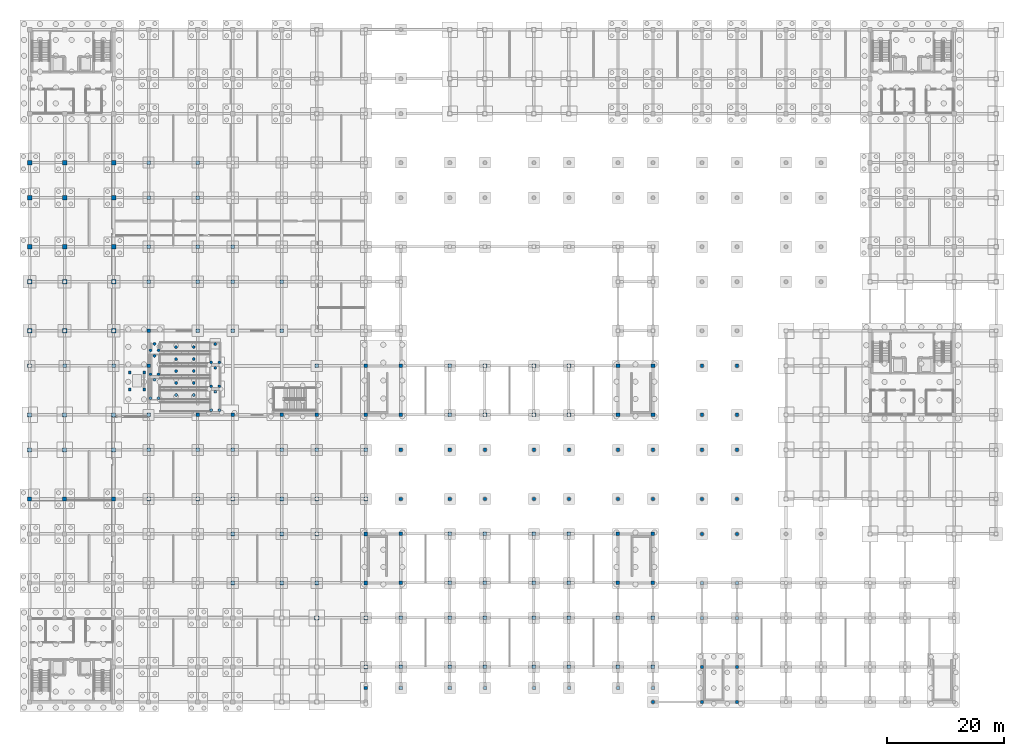
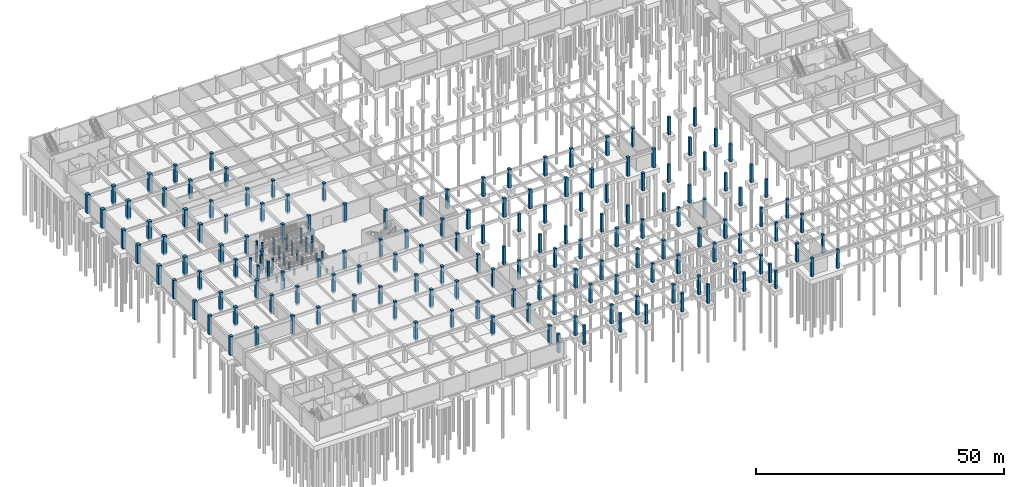
# One storey, part 14 of 40: 189 columns.
"""IFC4 building model written with IfcOpenShell, lengths in metres."""

from ifc_helpers import new_model, si_unit, direction, frame, origin, origin_2d, place, context, subcontext, project, spatial, rectangle, circle, extrude, material, material_profile, profile_set, type_object, element, save


model = new_model("IFC4")

# Units and contexts
model_context = context("Model", 3, precision=1e-05, world=origin(), true_north=direction((0.0, 1.0)))
body_context = subcontext(model_context, "Body", "Model", "MODEL_VIEW")
ifc_project = project(units=[si_unit("LENGTHUNIT", "METRE"), si_unit("AREAUNIT", "SQUARE_METRE"), si_unit("VOLUMEUNIT", "CUBIC_METRE"), si_unit("PLANEANGLEUNIT", "RADIAN"), si_unit("MASSUNIT", "GRAM", prefix="KILO"), si_unit("THERMODYNAMICTEMPERATUREUNIT", "KELVIN")], contexts=[model_context])

# Site, building, storey
site_placement = place(None, origin())
site = spatial("IfcSite", under=ifc_project, at=site_placement, CompositionType="ELEMENT")
building_placement = place(site_placement, origin())
building = spatial("IfcBuilding", under=site, at=building_placement, Name="Thalorik Housing Commons", CompositionType="ELEMENT")
storey_placement = place(building_placement, frame((0.0, 0.0, -4.199951171875)))
storey = spatial("IfcBuildingStorey", under=building, at=storey_placement, Name="B1", CompositionType="ELEMENT", Elevation=-4.199951171875)

# Columns
ifc_material = material(Name="Precast concrete C40/50", Category="concrete")
ifc_material_profile_1 = material_profile(ifc_material, circle(Radius=0.25, at=origin_2d()), Name="PC D500", Category="concrete")
ifc_profile_set_1 = profile_set([ifc_material_profile_1], Name="Precast concrete C40/50")
column_type_1 = type_object("IfcColumnType", Name="STR-COL-D500", PredefinedType="COLUMN", material=ifc_profile_set_1)
for number, where, z_axis, x_axis, name in (
    (1, (39.5, 58.39990234375, -0.449951171875), (0.0, 0.0, 1.0), (1.0, 0.0, 0.0), "B1 Metro Ramp Support Pier 1"),
    (2, (40.89990234375, 58.39990234375, -0.449951171875), (0.0, 0.0, 1.0), (1.0, 0.0, 0.0), "B1 Metro Ramp Support Pier 2"),
    (3, (40.199951171875, 61.550048828125, -0.449951171875), (0.0, 0.0, 1.0), (1.0, 0.0, 0.0), "B1 Metro Ramp Support Pier 3"),
):
    element("IfcColumn", number, at=place(storey_placement, frame(where, z_axis=z_axis, x_axis=x_axis)), inside=storey, type_object=column_type_1, Name=name, PredefinedType="COLUMN", context=body_context, shape_type="SweptSolid", body=[
        extrude(circle(Radius=0.25, at=origin_2d()), origin(), (0.0, 0.0, 1.0), 0.949951171875),
    ])
for number, where, z_axis, x_axis, name in (
    (4, (29.10009765625, 60.449951171875, -0.449951171875), (0.0, 0.0, 1.0), (1.0, 0.0, 0.0), "B1 Metro Ramp Support Pier 4"),
    (5, (30.5, 60.449951171875, -0.449951171875), (0.0, 0.0, 1.0), (1.0, 0.0, 0.0), "B1 Metro Ramp Support Pier 5"),
    (6, (29.800048828125, 63.60009765625, -0.449951171875), (0.0, 0.0, 1.0), (1.0, 0.0, 0.0), "B1 Metro Ramp Support Pier 6"),
):
    element("IfcColumn", number, at=place(storey_placement, frame(where, z_axis=z_axis, x_axis=x_axis)), inside=storey, type_object=column_type_1, Name=name, PredefinedType="COLUMN", context=body_context, shape_type="SweptSolid", body=[
        extrude(circle(Radius=0.25, at=origin_2d()), origin(), (0.0, 0.0, 1.0), 1.64990234375),
    ])
for number, where, z_axis, x_axis, name in (
    (7, (39.5, 62.5, -0.449951171875), (0.0, 0.0, 1.0), (1.0, 0.0, 0.0), "B1 Metro Ramp Support Pier 7"),
    (8, (40.89990234375, 62.5, -0.449951171875), (0.0, 0.0, 1.0), (1.0, 0.0, 0.0), "B1 Metro Ramp Support Pier 8"),
    (9, (40.199951171875, 65.64990234375, -0.449951171875), (0.0, 0.0, 1.0), (1.0, 0.0, 0.0), "B1 Metro Ramp Support Pier 9"),
):
    element("IfcColumn", number, at=place(storey_placement, frame(where, z_axis=z_axis, x_axis=x_axis)), inside=storey, type_object=column_type_1, Name=name, PredefinedType="COLUMN", context=body_context, shape_type="SweptSolid", body=[
        extrude(circle(Radius=0.25, at=origin_2d()), origin(), (0.0, 0.0, 1.0), 2.349853515625),
    ])
for number, where, z_axis, x_axis, name in (
    (10, (29.10009765625, 64.550048828125, -0.449951171875), (0.0, 0.0, 1.0), (1.0, 0.0, 0.0), "B1 Metro Ramp Support Pier 10"),
    (11, (30.5, 64.550048828125, -0.449951171875), (0.0, 0.0, 1.0), (1.0, 0.0, 0.0), "B1 Metro Ramp Support Pier 11"),
    (12, (29.800048828125, 67.699951171875, -0.449951171875), (0.0, 0.0, 1.0), (1.0, 0.0, 0.0), "B1 Metro Ramp Support Pier 12"),
):
    element("IfcColumn", number, at=place(storey_placement, frame(where, z_axis=z_axis, x_axis=x_axis)), inside=storey, type_object=column_type_1, Name=name, PredefinedType="COLUMN", context=body_context, shape_type="SweptSolid", body=[
        extrude(circle(Radius=0.25, at=origin_2d()), origin(), (0.0, 0.0, 1.0), 3.0498046875),
    ])
for number, where, z_axis, x_axis, name in (
    (13, (39.5, 66.60009765625, -0.449951171875), (0.0, 0.0, 1.0), (1.0, 0.0, 0.0), "B1 Metro Ramp Support Pier 13"),
    (14, (40.89990234375, 66.60009765625, -0.449951171875), (0.0, 0.0, 1.0), (1.0, 0.0, 0.0), "B1 Metro Ramp Support Pier 14"),
    (15, (40.199951171875, 69.75, -0.449951171875), (0.0, 0.0, 1.0), (1.0, 0.0, 0.0), "B1 Metro Ramp Support Pier 15"),
):
    element("IfcColumn", number, at=place(storey_placement, frame(where, z_axis=z_axis, x_axis=x_axis)), inside=storey, type_object=column_type_1, Name=name, PredefinedType="COLUMN", context=body_context, shape_type="SweptSolid", body=[
        extrude(circle(Radius=0.25, at=origin_2d()), origin(), (0.0, 0.0, 1.0), 3.75),
    ])
for number, where, z_axis, x_axis, name in (
    (16, (29.10009765625, 68.64990234375, -0.449951171875), (0.0, 0.0, 1.0), (1.0, 0.0, 0.0), "B1 Metro Ramp Support Pier 16"),
    (17, (30.5, 68.64990234375, -0.449951171875), (0.0, 0.0, 1.0), (1.0, 0.0, 0.0), "B1 Metro Ramp Support Pier 17"),
    (18, (29.800048828125, 69.75, -0.449951171875), (0.0, 0.0, 1.0), (1.0, 0.0, 0.0), "B1 Metro Ramp Support Pier 18"),
):
    element("IfcColumn", number, at=place(storey_placement, frame(where, z_axis=z_axis, x_axis=x_axis)), inside=storey, type_object=column_type_1, Name=name, PredefinedType="COLUMN", context=body_context, shape_type="SweptSolid", body=[
        extrude(circle(Radius=0.25, at=origin_2d()), origin(), (0.0, 0.0, 1.0), 4.369873046875),
    ])
column_1_placement = place(storey_placement, frame((36.511962890625, 61.0, -0.449951171875), z_axis=(0.0, 0.0, 1.0), x_axis=(1.0, 0.0, 0.0)))
element("IfcColumn", 19, at=column_1_placement, inside=storey, type_object=column_type_1, Name="B1 Metro Ramp Support Pier 19", PredefinedType="COLUMN", context=body_context, shape_type="SweptSolid", body=[
    extrude(circle(Radius=0.25, at=origin_2d()), origin(), (0.0, 0.0, 1.0), 1.183837890625),
])
column_2_placement = place(storey_placement, frame((33.488037109375, 61.0, -0.449951171875), z_axis=(0.0, 0.0, 1.0), x_axis=(1.0, 0.0, 0.0)))
element("IfcColumn", 20, at=column_2_placement, inside=storey, type_object=column_type_1, Name="B1 Metro Ramp Support Pier 20", PredefinedType="COLUMN", context=body_context, shape_type="SweptSolid", body=[
    extrude(circle(Radius=0.25, at=origin_2d()), origin(), (0.0, 0.0, 1.0), 1.435791015625),
])
column_3_placement = place(storey_placement, frame((33.488037109375, 63.050048828125, -0.449951171875), z_axis=(0.0, 0.0, 1.0), x_axis=(1.0, 0.0, 0.0)))
element("IfcColumn", 21, at=column_3_placement, inside=storey, type_object=column_type_1, Name="B1 Metro Ramp Support Pier 21", PredefinedType="COLUMN", context=body_context, shape_type="SweptSolid", body=[
    extrude(circle(Radius=0.25, at=origin_2d()), origin(), (0.0, 0.0, 1.0), 1.8837890625),
])
column_4_placement = place(storey_placement, frame((36.511962890625, 63.050048828125, -0.449951171875), z_axis=(0.0, 0.0, 1.0), x_axis=(1.0, 0.0, 0.0)))
element("IfcColumn", 22, at=column_4_placement, inside=storey, type_object=column_type_1, Name="B1 Metro Ramp Support Pier 22", PredefinedType="COLUMN", context=body_context, shape_type="SweptSolid", body=[
    extrude(circle(Radius=0.25, at=origin_2d()), origin(), (0.0, 0.0, 1.0), 2.135986328125),
])
column_5_placement = place(storey_placement, frame((36.511962890625, 65.10009765625, -0.449951171875), z_axis=(0.0, 0.0, 1.0), x_axis=(1.0, 0.0, 0.0)))
element("IfcColumn", 23, at=column_5_placement, inside=storey, type_object=column_type_1, Name="B1 Metro Ramp Support Pier 23", PredefinedType="COLUMN", context=body_context, shape_type="SweptSolid", body=[
    extrude(circle(Radius=0.25, at=origin_2d()), origin(), (0.0, 0.0, 1.0), 2.583984375),
])
column_6_placement = place(storey_placement, frame((33.488037109375, 65.10009765625, -0.449951171875), z_axis=(0.0, 0.0, 1.0), x_axis=(1.0, 0.0, 0.0)))
element("IfcColumn", 24, at=column_6_placement, inside=storey, type_object=column_type_1, Name="B1 Metro Ramp Support Pier 24", PredefinedType="COLUMN", context=body_context, shape_type="SweptSolid", body=[
    extrude(circle(Radius=0.25, at=origin_2d()), origin(), (0.0, 0.0, 1.0), 2.8359375),
])
column_7_placement = place(storey_placement, frame((33.488037109375, 67.14990234375, -0.449951171875), z_axis=(0.0, 0.0, 1.0), x_axis=(1.0, 0.0, 0.0)))
element("IfcColumn", 25, at=column_7_placement, inside=storey, type_object=column_type_1, Name="B1 Metro Ramp Support Pier 25", PredefinedType="COLUMN", context=body_context, shape_type="SweptSolid", body=[
    extrude(circle(Radius=0.25, at=origin_2d()), origin(), (0.0, 0.0, 1.0), 3.283935546875),
])
column_8_placement = place(storey_placement, frame((36.511962890625, 67.14990234375, -0.449951171875), z_axis=(0.0, 0.0, 1.0), x_axis=(1.0, 0.0, 0.0)))
element("IfcColumn", 26, at=column_8_placement, inside=storey, type_object=column_type_1, Name="B1 Metro Ramp Support Pier 26", PredefinedType="COLUMN", context=body_context, shape_type="SweptSolid", body=[
    extrude(circle(Radius=0.25, at=origin_2d()), origin(), (0.0, 0.0, 1.0), 3.535888671875),
])
column_9_placement = place(storey_placement, frame((36.511962890625, 69.199951171875, -0.449951171875), z_axis=(0.0, 0.0, 1.0), x_axis=(1.0, 0.0, 0.0)))
element("IfcColumn", 27, at=column_9_placement, inside=storey, type_object=column_type_1, Name="B1 Metro Ramp Support Pier 27", PredefinedType="COLUMN", context=body_context, shape_type="SweptSolid", body=[
    extrude(circle(Radius=0.25, at=origin_2d()), origin(), (0.0, 0.0, 1.0), 3.98388671875),
])
column_10_placement = place(storey_placement, frame((33.488037109375, 69.199951171875, -0.449951171875), z_axis=(0.0, 0.0, 1.0), x_axis=(1.0, 0.0, 0.0)))
element("IfcColumn", 28, at=column_10_placement, inside=storey, type_object=column_type_1, Name="B1 Metro Ramp Support Pier 28", PredefinedType="COLUMN", context=body_context, shape_type="SweptSolid", body=[
    extrude(circle(Radius=0.25, at=origin_2d()), origin(), (0.0, 0.0, 1.0), 4.23583984375),
])
ifc_material_profile_2 = material_profile(ifc_material, rectangle(XDim=0.449951171875, YDim=0.449951171875, at=origin_2d()), Name="PC 450x450", Category="concrete")
ifc_profile_set_2 = profile_set([ifc_material_profile_2], Name="Precast concrete C40/50")
column_type_2 = type_object("IfcColumnType", Name="STR-COL-PC450", PredefinedType="COLUMN", material=ifc_profile_set_2)
for number, where, z_axis, x_axis, name in (
    (29, (25.550048828125, 61.949951171875, -0.449951171875), (0.0, 0.0, 1.0), (1.0, 0.0, 0.0), "B1 Column C-450"),
    (30, (25.550048828125, 64.85009765625, -0.449951171875), (0.0, 0.0, 1.0), (1.0, 0.0, 0.0), "B1 Column C-450"),
    (31, (28.050048828125, 61.949951171875, -0.449951171875), (0.0, 0.0, 1.0), (1.0, 0.0, 0.0), "B1 Column C-450"),
    (32, (28.050048828125, 64.85009765625, -0.449951171875), (0.0, 0.0, 1.0), (1.0, 0.0, 0.0), "B1 Column C-450"),
):
    element("IfcColumn", number, at=place(storey_placement, frame(where, z_axis=z_axis, x_axis=x_axis)), inside=storey, type_object=column_type_2, Name=name, PredefinedType="COLUMN", context=body_context, shape_type="SweptSolid", body=[
        extrude(rectangle(XDim=0.449951171875, YDim=0.449951171875, at=origin_2d()), origin(), (0.0, 0.0, 1.0), 4.64990234375),
    ])
ifc_material_profile_3 = material_profile(ifc_material, rectangle(XDim=0.550048828125, YDim=0.550048828125, at=origin_2d()), Name="PC 550x550", Category="concrete")
ifc_profile_set_3 = profile_set([ifc_material_profile_3], Name="Precast concrete C40/50")
column_type_3 = type_object("IfcColumnType", Name="STR-COL-PC550", PredefinedType="COLUMN", material=ifc_profile_set_3)
for number, where, z_axis, x_axis, name in (
    (33, (66.0, 10.800048828125, -0.449951171875), (0.0, 0.0, 1.0), (1.0, 0.0, 0.0), "B1 Column C-550"),
    (34, (72.0, 10.800048828125, -0.449951171875), (0.0, 0.0, 1.0), (1.0, 0.0, 0.0), "B1 Column C-550"),
    (35, (80.39990234375, 10.800048828125, -0.449951171875), (0.0, 0.0, 1.0), (1.0, 0.0, 0.0), "B1 Column C-550"),
    (36, (86.39990234375, 10.800048828125, -0.449951171875), (0.0, 0.0, 1.0), (1.0, 0.0, 0.0), "B1 Column C-550"),
    (37, (94.800048828125, 10.800048828125, -0.449951171875), (0.0, 0.0, 1.0), (1.0, 0.0, 0.0), "B1 Column C-550"),
    (38, (100.800048828125, 10.800048828125, -0.449951171875), (0.0, 0.0, 1.0), (1.0, 0.0, 0.0), "B1 Column C-550"),
    (39, (109.199951171875, 10.800048828125, -0.449951171875), (0.0, 0.0, 1.0), (1.0, 0.0, 0.0), "B1 Column C-550"),
    (40, (115.199951171875, 10.800048828125, -0.449951171875), (0.0, 0.0, 1.0), (1.0, 0.0, 0.0), "B1 Column C-550"),
    (41, (123.60009765625, 8.39990234375, -0.449951171875), (0.0, 0.0, 1.0), (1.0, 0.0, 0.0), "B1 Column C-550"),
    (42, (123.60009765625, 14.39990234375, -0.449951171875), (0.0, 0.0, 1.0), (1.0, 0.0, 0.0), "B1 Column C-550"),
    (43, (123.60009765625, 22.800048828125, -0.449951171875), (0.0, 0.0, 1.0), (1.0, 0.0, 0.0), "B1 Column C-550"),
    (44, (123.60009765625, 28.800048828125, -0.449951171875), (0.0, 0.0, 1.0), (1.0, 0.0, 0.0), "B1 Column C-550"),
    (45, (129.60009765625, 8.39990234375, -0.449951171875), (0.0, 0.0, 1.0), (1.0, 0.0, 0.0), "B1 Column C-550"),
    (46, (129.60009765625, 14.39990234375, -0.449951171875), (0.0, 0.0, 1.0), (1.0, 0.0, 0.0), "B1 Column C-550"),
    (47, (129.60009765625, 22.800048828125, -0.449951171875), (0.0, 0.0, 1.0), (1.0, 0.0, 0.0), "B1 Column C-550"),
    (48, (129.60009765625, 28.800048828125, -0.449951171875), (0.0, 0.0, 1.0), (1.0, 0.0, 0.0), "B1 Column C-550"),
):
    element("IfcColumn", number, at=place(storey_placement, frame(where, z_axis=z_axis, x_axis=x_axis)), inside=storey, type_object=column_type_3, Name=name, PredefinedType="COLUMN", context=body_context, shape_type="SweptSolid", body=[
        extrude(rectangle(XDim=0.550048828125, YDim=0.550048828125, at=origin_2d()), origin(), (0.0, 0.0, 1.0), 4.64990234375),
    ])
for number, where, z_axis, x_axis, name in (
    (49, (72.0, 43.199951171875, -0.449951171875), (0.0, 0.0, 1.0), (1.0, 0.0, 0.0), "B1 Plaza Support Pier 1"),
    (50, (72.0, 51.60009765625, -0.449951171875), (0.0, 0.0, 1.0), (1.0, 0.0, 0.0), "B1 Plaza Support Pier 2"),
    (51, (80.39990234375, 43.199951171875, -0.449951171875), (0.0, 0.0, 1.0), (1.0, 0.0, 0.0), "B1 Plaza Support Pier 8"),
    (52, (80.39990234375, 51.60009765625, -0.449951171875), (0.0, 0.0, 1.0), (1.0, 0.0, 0.0), "B1 Plaza Support Pier 9"),
    (53, (86.39990234375, 43.199951171875, -0.449951171875), (0.0, 0.0, 1.0), (1.0, 0.0, 0.0), "B1 Plaza Support Pier 12"),
    (54, (86.39990234375, 51.60009765625, -0.449951171875), (0.0, 0.0, 1.0), (1.0, 0.0, 0.0), "B1 Plaza Support Pier 13"),
    (55, (94.800048828125, 43.199951171875, -0.449951171875), (0.0, 0.0, 1.0), (1.0, 0.0, 0.0), "B1 Plaza Support Pier 16"),
    (56, (94.800048828125, 51.60009765625, -0.449951171875), (0.0, 0.0, 1.0), (1.0, 0.0, 0.0), "B1 Plaza Support Pier 17"),
    (57, (100.800048828125, 43.199951171875, -0.449951171875), (0.0, 0.0, 1.0), (1.0, 0.0, 0.0), "B1 Plaza Support Pier 20"),
    (58, (100.800048828125, 51.60009765625, -0.449951171875), (0.0, 0.0, 1.0), (1.0, 0.0, 0.0), "B1 Plaza Support Pier 21"),
    (59, (109.199951171875, 43.199951171875, -0.449951171875), (0.0, 0.0, 1.0), (1.0, 0.0, 0.0), "B1 Plaza Support Pier 24"),
    (60, (109.199951171875, 51.60009765625, -0.449951171875), (0.0, 0.0, 1.0), (1.0, 0.0, 0.0), "B1 Plaza Support Pier 25"),
    (61, (115.199951171875, 8.39990234375, -0.449951171875), (0.0, 0.0, 1.0), (1.0, 0.0, 0.0), "B1 Plaza Support Pier 28"),
    (62, (115.199951171875, 43.199951171875, -0.449951171875), (0.0, 0.0, 1.0), (1.0, 0.0, 0.0), "B1 Plaza Support Pier 29"),
    (63, (115.199951171875, 51.60009765625, -0.449951171875), (0.0, 0.0, 1.0), (1.0, 0.0, 0.0), "B1 Plaza Support Pier 30"),
    (64, (123.60009765625, 37.199951171875, -0.449951171875), (0.0, 0.0, 1.0), (1.0, 0.0, 0.0), "B1 Plaza Support Pier 33"),
    (65, (123.60009765625, 43.199951171875, -0.449951171875), (0.0, 0.0, 1.0), (1.0, 0.0, 0.0), "B1 Plaza Support Pier 34"),
    (66, (123.60009765625, 51.60009765625, -0.449951171875), (0.0, 0.0, 1.0), (1.0, 0.0, 0.0), "B1 Plaza Support Pier 35"),
    (67, (123.60009765625, 57.60009765625, -0.449951171875), (0.0, 0.0, 1.0), (1.0, 0.0, 0.0), "B1 Plaza Support Pier 36"),
    (68, (123.60009765625, 66.0, -0.449951171875), (0.0, 0.0, 1.0), (1.0, 0.0, 0.0), "B1 Plaza Support Pier 37"),
    (69, (129.60009765625, 37.199951171875, -0.449951171875), (0.0, 0.0, 1.0), (1.0, 0.0, 0.0), "B1 Plaza Support Pier 43"),
    (70, (129.60009765625, 43.199951171875, -0.449951171875), (0.0, 0.0, 1.0), (1.0, 0.0, 0.0), "B1 Plaza Support Pier 44"),
    (71, (129.60009765625, 51.60009765625, -0.449951171875), (0.0, 0.0, 1.0), (1.0, 0.0, 0.0), "B1 Plaza Support Pier 45"),
    (72, (129.60009765625, 57.60009765625, -0.449951171875), (0.0, 0.0, 1.0), (1.0, 0.0, 0.0), "B1 Plaza Support Pier 46"),
    (73, (129.60009765625, 66.0, -0.449951171875), (0.0, 0.0, 1.0), (1.0, 0.0, 0.0), "B1 Plaza Support Pier 47"),
):
    element("IfcColumn", number, at=place(storey_placement, frame(where, z_axis=z_axis, x_axis=x_axis)), inside=storey, type_object=column_type_3, Name=name, PredefinedType="COLUMN", context=body_context, shape_type="SweptSolid", body=[
        extrude(rectangle(XDim=0.550048828125, YDim=0.550048828125, at=origin_2d()), origin(), (0.0, 0.0, 1.0), 4.39990234375),
    ])
ifc_material_profile_4 = material_profile(ifc_material, rectangle(XDim=0.60009765625, YDim=0.60009765625, at=origin_2d()), Name="PC 600x600", Category="concrete")
ifc_profile_set_4 = profile_set([ifc_material_profile_4], Name="Precast concrete C40/50")
column_type_4 = type_object("IfcColumnType", Name="STR-COL-PC600", PredefinedType="COLUMN", material=ifc_profile_set_4)
for number, where, z_axis, x_axis, name in (
    (74, (72.0, 14.39990234375, -0.449951171875), (0.0, 0.0, 1.0), (1.0, 0.0, 0.0), "B1 Column C-600"),
    (75, (72.0, 22.800048828125, -0.449951171875), (0.0, 0.0, 1.0), (1.0, 0.0, 0.0), "B1 Column C-600"),
    (76, (72.0, 28.800048828125, -0.449951171875), (0.0, 0.0, 1.0), (1.0, 0.0, 0.0), "B1 Column C-600"),
    (77, (72.0, 37.199951171875, -0.449951171875), (0.0, 0.0, 1.0), (1.0, 0.0, 0.0), "B1 Column C-600"),
    (78, (80.39990234375, 14.39990234375, -0.449951171875), (0.0, 0.0, 1.0), (1.0, 0.0, 0.0), "B1 Column C-600"),
    (79, (80.39990234375, 22.800048828125, -0.449951171875), (0.0, 0.0, 1.0), (1.0, 0.0, 0.0), "B1 Column C-600"),
    (80, (80.39990234375, 28.800048828125, -0.449951171875), (0.0, 0.0, 1.0), (1.0, 0.0, 0.0), "B1 Column C-600"),
    (81, (80.39990234375, 37.199951171875, -0.449951171875), (0.0, 0.0, 1.0), (1.0, 0.0, 0.0), "B1 Column C-600"),
    (82, (86.39990234375, 14.39990234375, -0.449951171875), (0.0, 0.0, 1.0), (1.0, 0.0, 0.0), "B1 Column C-600"),
    (83, (86.39990234375, 22.800048828125, -0.449951171875), (0.0, 0.0, 1.0), (1.0, 0.0, 0.0), "B1 Column C-600"),
    (84, (86.39990234375, 28.800048828125, -0.449951171875), (0.0, 0.0, 1.0), (1.0, 0.0, 0.0), "B1 Column C-600"),
    (85, (86.39990234375, 37.199951171875, -0.449951171875), (0.0, 0.0, 1.0), (1.0, 0.0, 0.0), "B1 Column C-600"),
    (86, (94.800048828125, 14.39990234375, -0.449951171875), (0.0, 0.0, 1.0), (1.0, 0.0, 0.0), "B1 Column C-600"),
    (87, (94.800048828125, 22.800048828125, -0.449951171875), (0.0, 0.0, 1.0), (1.0, 0.0, 0.0), "B1 Column C-600"),
    (88, (94.800048828125, 28.800048828125, -0.449951171875), (0.0, 0.0, 1.0), (1.0, 0.0, 0.0), "B1 Column C-600"),
    (89, (94.800048828125, 37.199951171875, -0.449951171875), (0.0, 0.0, 1.0), (1.0, 0.0, 0.0), "B1 Column C-600"),
    (90, (100.800048828125, 14.39990234375, -0.449951171875), (0.0, 0.0, 1.0), (1.0, 0.0, 0.0), "B1 Column C-600"),
    (91, (100.800048828125, 22.800048828125, -0.449951171875), (0.0, 0.0, 1.0), (1.0, 0.0, 0.0), "B1 Column C-600"),
    (92, (100.800048828125, 28.800048828125, -0.449951171875), (0.0, 0.0, 1.0), (1.0, 0.0, 0.0), "B1 Column C-600"),
    (93, (100.800048828125, 37.199951171875, -0.449951171875), (0.0, 0.0, 1.0), (1.0, 0.0, 0.0), "B1 Column C-600"),
    (94, (109.199951171875, 14.39990234375, -0.449951171875), (0.0, 0.0, 1.0), (1.0, 0.0, 0.0), "B1 Column C-600"),
    (95, (109.199951171875, 22.800048828125, -0.449951171875), (0.0, 0.0, 1.0), (1.0, 0.0, 0.0), "B1 Column C-600"),
    (96, (109.199951171875, 28.800048828125, -0.449951171875), (0.0, 0.0, 1.0), (1.0, 0.0, 0.0), "B1 Column C-600"),
    (97, (109.199951171875, 37.199951171875, -0.449951171875), (0.0, 0.0, 1.0), (1.0, 0.0, 0.0), "B1 Column C-600"),
    (98, (115.199951171875, 14.39990234375, -0.449951171875), (0.0, 0.0, 1.0), (1.0, 0.0, 0.0), "B1 Column C-600"),
    (99, (115.199951171875, 22.800048828125, -0.449951171875), (0.0, 0.0, 1.0), (1.0, 0.0, 0.0), "B1 Column C-600"),
    (100, (115.199951171875, 28.800048828125, -0.449951171875), (0.0, 0.0, 1.0), (1.0, 0.0, 0.0), "B1 Column C-600"),
    (101, (115.199951171875, 37.199951171875, -0.449951171875), (0.0, 0.0, 1.0), (1.0, 0.0, 0.0), "B1 Column C-600"),
):
    element("IfcColumn", number, at=place(storey_placement, frame(where, z_axis=z_axis, x_axis=x_axis)), inside=storey, type_object=column_type_4, Name=name, PredefinedType="COLUMN", context=body_context, shape_type="SweptSolid", body=[
        extrude(rectangle(XDim=0.60009765625, YDim=0.60009765625, at=origin_2d()), origin(), (0.0, 0.0, 1.0), 4.64990234375),
    ])
ifc_material_profile_5 = material_profile(ifc_material, rectangle(XDim=0.64990234375, YDim=0.64990234375, at=origin_2d()), Name="PC 650x650", Category="concrete")
ifc_profile_set_5 = profile_set([ifc_material_profile_5], Name="Precast concrete C40/50")
column_type_5 = type_object("IfcColumnType", Name="STR-COL-PC650", PredefinedType="COLUMN", material=ifc_profile_set_5)
for number, where, z_axis, x_axis, name in (
    (102, (8.39990234375, 66.0, -0.449951171875), (0.0, 0.0, 1.0), (1.0, 0.0, 0.0), "B1 Column C-650"),
    (103, (14.39990234375, 66.0, -0.449951171875), (0.0, 0.0, 1.0), (1.0, 0.0, 0.0), "B1 Column C-650"),
    (104, (22.800048828125, 66.0, -0.449951171875), (0.0, 0.0, 1.0), (1.0, 0.0, 0.0), "B1 Column C-650"),
    (105, (28.800048828125, 43.199951171875, -0.449951171875), (0.0, 0.0, 1.0), (1.0, 0.0, 0.0), "B1 Column C-650"),
    (106, (28.800048828125, 51.60009765625, -0.449951171875), (0.0, 0.0, 1.0), (1.0, 0.0, 0.0), "B1 Column C-650"),
    (107, (28.800048828125, 57.60009765625, -0.449951171875), (0.0, 0.0, 1.0), (1.0, 0.0, 0.0), "B1 Column C-650"),
    (108, (28.800048828125, 66.0, -0.449951171875), (0.0, 0.0, 1.0), (1.0, 0.0, 0.0), "B1 Column C-650"),
    (109, (28.800048828125, 72.0, -0.449951171875), (0.0, 0.0, 1.0), (1.0, 0.0, 0.0), "B1 Column C-650"),
    (110, (28.800048828125, 80.39990234375, -0.449951171875), (0.0, 0.0, 1.0), (1.0, 0.0, 0.0), "B1 Column C-650"),
    (111, (28.800048828125, 86.39990234375, -0.449951171875), (0.0, 0.0, 1.0), (1.0, 0.0, 0.0), "B1 Column C-650"),
    (112, (28.800048828125, 94.800048828125, -0.449951171875), (0.0, 0.0, 1.0), (1.0, 0.0, 0.0), "B1 Column C-650"),
    (113, (28.800048828125, 100.800048828125, -0.449951171875), (0.0, 0.0, 1.0), (1.0, 0.0, 0.0), "B1 Column C-650"),
    (114, (37.199951171875, 43.199951171875, -0.449951171875), (0.0, 0.0, 1.0), (1.0, 0.0, 0.0), "B1 Column C-650"),
    (115, (37.199951171875, 51.60009765625, -0.449951171875), (0.0, 0.0, 1.0), (1.0, 0.0, 0.0), "B1 Column C-650"),
    (116, (37.199951171875, 57.60009765625, -0.449951171875), (0.0, 0.0, 1.0), (1.0, 0.0, 0.0), "B1 Column C-650"),
    (117, (37.199951171875, 72.0, -0.449951171875), (0.0, 0.0, 1.0), (1.0, 0.0, 0.0), "B1 Column C-650"),
    (118, (37.199951171875, 80.39990234375, -0.449951171875), (0.0, 0.0, 1.0), (1.0, 0.0, 0.0), "B1 Column C-650"),
    (119, (37.199951171875, 86.39990234375, -0.449951171875), (0.0, 0.0, 1.0), (1.0, 0.0, 0.0), "B1 Column C-650"),
    (120, (37.199951171875, 94.800048828125, -0.449951171875), (0.0, 0.0, 1.0), (1.0, 0.0, 0.0), "B1 Column C-650"),
    (121, (37.199951171875, 100.800048828125, -0.449951171875), (0.0, 0.0, 1.0), (1.0, 0.0, 0.0), "B1 Column C-650"),
    (122, (43.199951171875, 28.800048828125, -0.449951171875), (0.0, 0.0, 1.0), (1.0, 0.0, 0.0), "B1 Column C-650"),
    (123, (43.199951171875, 37.199951171875, -0.449951171875), (0.0, 0.0, 1.0), (1.0, 0.0, 0.0), "B1 Column C-650"),
    (124, (43.199951171875, 43.199951171875, -0.449951171875), (0.0, 0.0, 1.0), (1.0, 0.0, 0.0), "B1 Column C-650"),
    (125, (43.199951171875, 51.60009765625, -0.449951171875), (0.0, 0.0, 1.0), (1.0, 0.0, 0.0), "B1 Column C-650"),
    (126, (43.199951171875, 57.60009765625, -0.449951171875), (0.0, 0.0, 1.0), (1.0, 0.0, 0.0), "B1 Column C-650"),
    (127, (43.199951171875, 72.0, -0.449951171875), (0.0, 0.0, 1.0), (1.0, 0.0, 0.0), "B1 Column C-650"),
    (128, (43.199951171875, 80.39990234375, -0.449951171875), (0.0, 0.0, 1.0), (1.0, 0.0, 0.0), "B1 Column C-650"),
    (129, (43.199951171875, 86.39990234375, -0.449951171875), (0.0, 0.0, 1.0), (1.0, 0.0, 0.0), "B1 Column C-650"),
    (130, (51.60009765625, 28.800048828125, -0.449951171875), (0.0, 0.0, 1.0), (1.0, 0.0, 0.0), "B1 Column C-650"),
    (131, (51.60009765625, 37.199951171875, -0.449951171875), (0.0, 0.0, 1.0), (1.0, 0.0, 0.0), "B1 Column C-650"),
    (132, (51.60009765625, 43.199951171875, -0.449951171875), (0.0, 0.0, 1.0), (1.0, 0.0, 0.0), "B1 Column C-650"),
    (133, (51.60009765625, 51.60009765625, -0.449951171875), (0.0, 0.0, 1.0), (1.0, 0.0, 0.0), "B1 Column C-650"),
    (134, (51.60009765625, 57.60009765625, -0.449951171875), (0.0, 0.0, 1.0), (1.0, 0.0, 0.0), "B1 Column C-650"),
    (135, (51.60009765625, 72.0, -0.449951171875), (0.0, 0.0, 1.0), (1.0, 0.0, 0.0), "B1 Column C-650"),
    (136, (51.60009765625, 80.39990234375, -0.449951171875), (0.0, 0.0, 1.0), (1.0, 0.0, 0.0), "B1 Column C-650"),
    (137, (57.60009765625, 28.800048828125, -0.449951171875), (0.0, 0.0, 1.0), (1.0, 0.0, 0.0), "B1 Column C-650"),
    (138, (57.60009765625, 37.199951171875, -0.449951171875), (0.0, 0.0, 1.0), (1.0, 0.0, 0.0), "B1 Column C-650"),
    (139, (57.60009765625, 43.199951171875, -0.449951171875), (0.0, 0.0, 1.0), (1.0, 0.0, 0.0), "B1 Column C-650"),
    (140, (57.60009765625, 51.60009765625, -0.449951171875), (0.0, 0.0, 1.0), (1.0, 0.0, 0.0), "B1 Column C-650"),
    (141, (57.60009765625, 57.60009765625, -0.449951171875), (0.0, 0.0, 1.0), (1.0, 0.0, 0.0), "B1 Column C-650"),
    (142, (57.60009765625, 66.0, -0.449951171875), (0.0, 0.0, 1.0), (1.0, 0.0, 0.0), "B1 Column C-650"),
    (143, (66.0, 14.39990234375, -0.449951171875), (0.0, 0.0, 1.0), (1.0, 0.0, 0.0), "B1 Column C-650"),
    (144, (66.0, 22.800048828125, -0.449951171875), (0.0, 0.0, 1.0), (1.0, 0.0, 0.0), "B1 Column C-650"),
    (145, (66.0, 28.800048828125, -0.449951171875), (0.0, 0.0, 1.0), (1.0, 0.0, 0.0), "B1 Column C-650"),
    (146, (66.0, 37.199951171875, -0.449951171875), (0.0, 0.0, 1.0), (1.0, 0.0, 0.0), "B1 Column C-650"),
    (147, (66.0, 43.199951171875, -0.449951171875), (0.0, 0.0, 1.0), (1.0, 0.0, 0.0), "B1 Column C-650"),
    (148, (66.0, 51.60009765625, -0.449951171875), (0.0, 0.0, 1.0), (1.0, 0.0, 0.0), "B1 Column C-650"),
    (149, (66.0, 57.60009765625, -0.449951171875), (0.0, 0.0, 1.0), (1.0, 0.0, 0.0), "B1 Column C-650"),
    (150, (66.0, 66.0, -0.449951171875), (0.0, 0.0, 1.0), (1.0, 0.0, 0.0), "B1 Column C-650"),
    (151, (72.0, 57.60009765625, -0.449951171875), (0.0, 0.0, 1.0), (1.0, 0.0, 0.0), "B1 Column C-650"),
    (152, (72.0, 66.0, -0.449951171875), (0.0, 0.0, 1.0), (1.0, 0.0, 0.0), "B1 Column C-650"),
    (153, (80.39990234375, 57.60009765625, -0.449951171875), (0.0, 0.0, 1.0), (1.0, 0.0, 0.0), "B1 Column C-650"),
    (154, (80.39990234375, 66.0, -0.449951171875), (0.0, 0.0, 1.0), (1.0, 0.0, 0.0), "B1 Column C-650"),
    (155, (86.39990234375, 57.60009765625, -0.449951171875), (0.0, 0.0, 1.0), (1.0, 0.0, 0.0), "B1 Column C-650"),
    (156, (86.39990234375, 66.0, -0.449951171875), (0.0, 0.0, 1.0), (1.0, 0.0, 0.0), "B1 Column C-650"),
    (157, (94.800048828125, 57.60009765625, -0.449951171875), (0.0, 0.0, 1.0), (1.0, 0.0, 0.0), "B1 Column C-650"),
    (158, (94.800048828125, 66.0, -0.449951171875), (0.0, 0.0, 1.0), (1.0, 0.0, 0.0), "B1 Column C-650"),
    (159, (100.800048828125, 57.60009765625, -0.449951171875), (0.0, 0.0, 1.0), (1.0, 0.0, 0.0), "B1 Column C-650"),
    (160, (100.800048828125, 66.0, -0.449951171875), (0.0, 0.0, 1.0), (1.0, 0.0, 0.0), "B1 Column C-650"),
    (161, (109.199951171875, 57.60009765625, -0.449951171875), (0.0, 0.0, 1.0), (1.0, 0.0, 0.0), "B1 Column C-650"),
    (162, (109.199951171875, 66.0, -0.449951171875), (0.0, 0.0, 1.0), (1.0, 0.0, 0.0), "B1 Column C-650"),
    (163, (115.199951171875, 57.60009765625, -0.449951171875), (0.0, 0.0, 1.0), (1.0, 0.0, 0.0), "B1 Column C-650"),
    (164, (115.199951171875, 66.0, -0.449951171875), (0.0, 0.0, 1.0), (1.0, 0.0, 0.0), "B1 Column C-650"),
):
    element("IfcColumn", number, at=place(storey_placement, frame(where, z_axis=z_axis, x_axis=x_axis)), inside=storey, type_object=column_type_5, Name=name, PredefinedType="COLUMN", context=body_context, shape_type="SweptSolid", body=[
        extrude(rectangle(XDim=0.64990234375, YDim=0.64990234375, at=origin_2d()), origin(), (0.0, 0.0, 1.0), 4.64990234375),
    ])
ifc_material_profile_6 = material_profile(ifc_material, rectangle(XDim=0.699951171875, YDim=0.699951171875, at=origin_2d()), Name="PC 700x700", Category="concrete")
ifc_profile_set_6 = profile_set([ifc_material_profile_6], Name="Precast concrete C40/50")
column_type_6 = type_object("IfcColumnType", Name="STR-COL-PC700", PredefinedType="COLUMN", material=ifc_profile_set_6)
for number, where, z_axis, x_axis, name in (
    (165, (8.39990234375, 43.199951171875, -0.449951171875), (0.0, 0.0, 1.0), (1.0, 0.0, 0.0), "B1 Column C-700"),
    (166, (8.39990234375, 51.60009765625, -0.449951171875), (0.0, 0.0, 1.0), (1.0, 0.0, 0.0), "B1 Column C-700"),
    (167, (8.39990234375, 57.60009765625, -0.449951171875), (0.0, 0.0, 1.0), (1.0, 0.0, 0.0), "B1 Column C-700"),
    (168, (14.39990234375, 43.199951171875, -0.449951171875), (0.0, 0.0, 1.0), (1.0, 0.0, 0.0), "B1 Column C-700"),
    (169, (14.39990234375, 51.60009765625, -0.449951171875), (0.0, 0.0, 1.0), (1.0, 0.0, 0.0), "B1 Column C-700"),
    (170, (14.39990234375, 57.60009765625, -0.449951171875), (0.0, 0.0, 1.0), (1.0, 0.0, 0.0), "B1 Column C-700"),
    (171, (22.800048828125, 43.199951171875, -0.449951171875), (0.0, 0.0, 1.0), (1.0, 0.0, 0.0), "B1 Column C-700"),
    (172, (22.800048828125, 51.60009765625, -0.449951171875), (0.0, 0.0, 1.0), (1.0, 0.0, 0.0), "B1 Column C-700"),
    (173, (22.800048828125, 57.60009765625, -0.449951171875), (0.0, 0.0, 1.0), (1.0, 0.0, 0.0), "B1 Column C-700"),
    (174, (57.60009765625, 22.800048828125, -0.449951171875), (0.0, 0.0, 1.0), (1.0, 0.0, 0.0), "B1 Column C-700"),
):
    element("IfcColumn", number, at=place(storey_placement, frame(where, z_axis=z_axis, x_axis=x_axis)), inside=storey, type_object=column_type_6, Name=name, PredefinedType="COLUMN", context=body_context, shape_type="SweptSolid", body=[
        extrude(rectangle(XDim=0.699951171875, YDim=0.699951171875, at=origin_2d()), origin(), (0.0, 0.0, 1.0), 4.64990234375),
    ])
ifc_material_profile_7 = material_profile(ifc_material, rectangle(XDim=0.800048828125, YDim=0.800048828125, at=origin_2d()), Name="PC 800x800", Category="concrete")
ifc_profile_set_7 = profile_set([ifc_material_profile_7], Name="Precast concrete C40/50")
column_type_7 = type_object("IfcColumnType", Name="STR-COL-PC800", PredefinedType="COLUMN", material=ifc_profile_set_7)
for number, where, z_axis, x_axis, name in (
    (175, (8.39990234375, 72.0, -0.449951171875), (0.0, 0.0, 1.0), (1.0, 0.0, 0.0), "B1 Column C-800"),
    (176, (8.39990234375, 80.39990234375, -0.449951171875), (0.0, 0.0, 1.0), (1.0, 0.0, 0.0), "B1 Column C-800"),
    (177, (8.39990234375, 86.39990234375, -0.449951171875), (0.0, 0.0, 1.0), (1.0, 0.0, 0.0), "B1 Column C-800"),
    (178, (8.39990234375, 94.800048828125, -0.449951171875), (0.0, 0.0, 1.0), (1.0, 0.0, 0.0), "B1 Column C-800"),
    (179, (8.39990234375, 100.800048828125, -0.449951171875), (0.0, 0.0, 1.0), (1.0, 0.0, 0.0), "B1 Column C-800"),
    (180, (14.39990234375, 72.0, -0.449951171875), (0.0, 0.0, 1.0), (1.0, 0.0, 0.0), "B1 Column C-800"),
    (181, (14.39990234375, 80.39990234375, -0.449951171875), (0.0, 0.0, 1.0), (1.0, 0.0, 0.0), "B1 Column C-800"),
    (182, (14.39990234375, 86.39990234375, -0.449951171875), (0.0, 0.0, 1.0), (1.0, 0.0, 0.0), "B1 Column C-800"),
    (183, (14.39990234375, 94.800048828125, -0.449951171875), (0.0, 0.0, 1.0), (1.0, 0.0, 0.0), "B1 Column C-800"),
    (184, (14.39990234375, 100.800048828125, -0.449951171875), (0.0, 0.0, 1.0), (1.0, 0.0, 0.0), "B1 Column C-800"),
    (185, (22.800048828125, 72.0, -0.449951171875), (0.0, 0.0, 1.0), (1.0, 0.0, 0.0), "B1 Column C-800"),
    (186, (22.800048828125, 80.39990234375, -0.449951171875), (0.0, 0.0, 1.0), (1.0, 0.0, 0.0), "B1 Column C-800"),
    (187, (22.800048828125, 86.39990234375, -0.449951171875), (0.0, 0.0, 1.0), (1.0, 0.0, 0.0), "B1 Column C-800"),
    (188, (22.800048828125, 94.800048828125, -0.449951171875), (0.0, 0.0, 1.0), (1.0, 0.0, 0.0), "B1 Column C-800"),
    (189, (22.800048828125, 100.800048828125, -0.449951171875), (0.0, 0.0, 1.0), (1.0, 0.0, 0.0), "B1 Column C-800"),
):
    element("IfcColumn", number, at=place(storey_placement, frame(where, z_axis=z_axis, x_axis=x_axis)), inside=storey, type_object=column_type_7, Name=name, PredefinedType="COLUMN", context=body_context, shape_type="SweptSolid", body=[
        extrude(rectangle(XDim=0.800048828125, YDim=0.800048828125, at=origin_2d()), origin(), (0.0, 0.0, 1.0), 4.64990234375),
    ])

save(model, "model.ifc")
